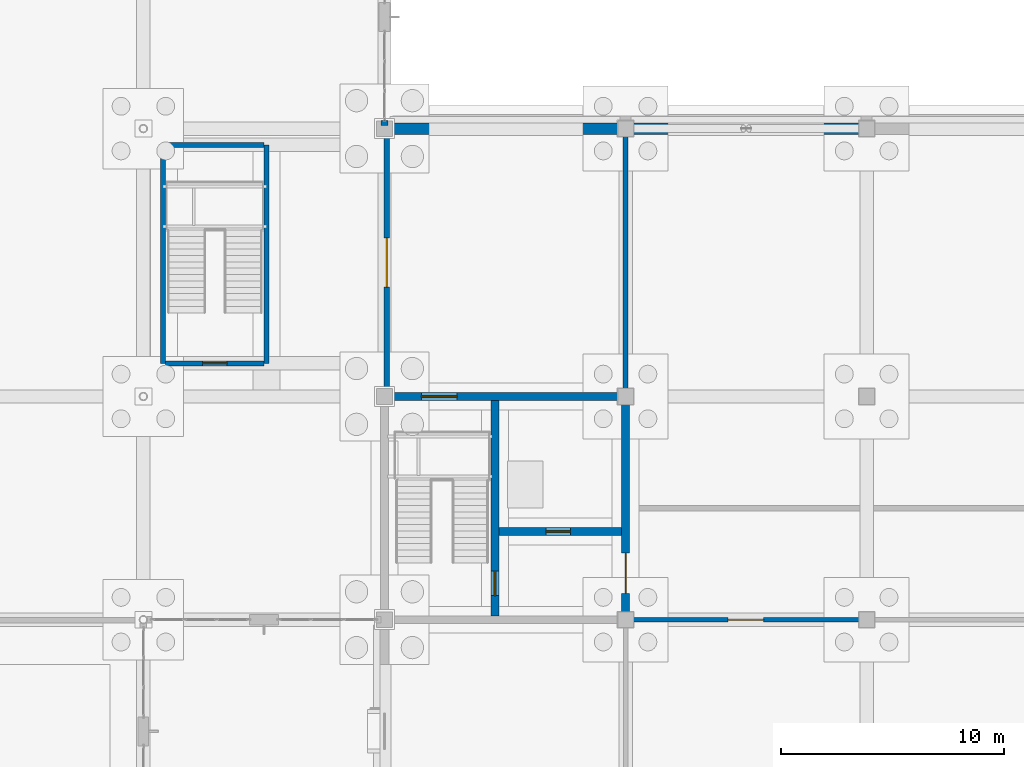
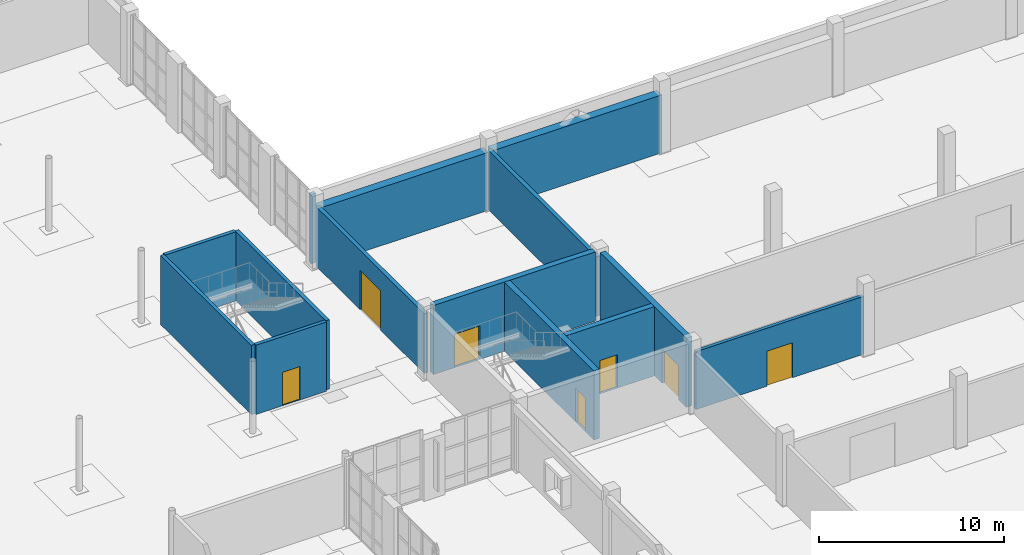
# One storey, part 54 of 73: 14 walls, 7 doors, 7 openings.
"""IFC4 building model written with IfcOpenShell, lengths in metres."""

from ifc_helpers import new_model, si_unit, direction, frame, frame_2d, origin, place, context, subcontext, project, spatial, rectangle, extrude, material, layer, layer_set, type_object, element, fill, save


model = new_model("IFC4")

# Units and contexts
model_context = context("Model", 3, precision=1e-05, world=origin(), true_north=direction((0.0, 1.0)))
body_context = subcontext(model_context, "Body", "Model", "MODEL_VIEW")
ifc_project = project(units=[si_unit("LENGTHUNIT", "METRE"), si_unit("AREAUNIT", "SQUARE_METRE"), si_unit("VOLUMEUNIT", "CUBIC_METRE"), si_unit("PLANEANGLEUNIT", "RADIAN"), si_unit("MASSUNIT", "GRAM", prefix="KILO")], contexts=[model_context])

# Site, building, storey
site_placement = place(None, origin())
site = spatial("IfcSite", under=ifc_project, at=site_placement, CompositionType="ELEMENT")
building_placement = place(site_placement, origin())
building = spatial("IfcBuilding", under=site, at=building_placement, Name="Tasgan Crest Museum", CompositionType="ELEMENT")
storey_placement = place(building_placement, origin())
storey = spatial("IfcBuildingStorey", under=building, at=storey_placement, Name="L00", CompositionType="ELEMENT", Elevation=0.0)

# Wall, opening, door
ifc_material_1 = material(Name="Concrete C40/50", Category="concrete")
ifc_layer_1 = layer(ifc_material_1, 0.35009765625, Name="WL-CORE-350")
ifc_layer_set_1 = layer_set([ifc_layer_1], Name="Concrete C40/50")
wall_type_1 = type_object("IfcWallType", Name="WL-CORE-350", PredefinedType="SHEAR", material=ifc_layer_set_1)
wall_1_placement = place(storey_placement, frame((108.35009765625, 50.0, 0.0), z_axis=(0.0, 0.0, 1.0), x_axis=(1.0, 0.0, 0.0)))
wall_1 = element("IfcWall", 1, at=wall_1_placement, inside=storey, type_object=wall_type_1, Name="East Conservation Core north shear wall L00", PredefinedType="SHEAR", context=body_context, shape_type="SweptSolid", body=[
    extrude(rectangle(XDim=10.099853515625, YDim=0.35009765625, at=frame_2d((5.0498046875, 0.0))), origin(), (0.0, 0.0, 1.0), 4.56005859375),
])
opening_1_placement = place(wall_1_placement, frame((1.300048828125, 0.0, 0.0)))
opening_1 = element("IfcOpeningElement", 2, at=opening_1_placement, cuts=wall_1, Name="Opening EX-SE", PredefinedType="OPENING", context=body_context, shape_type="SweptSolid", body=[
    extrude(rectangle(XDim=1.60009765625, YDim=2.199951171875, at=frame_2d((0.800048828125, 1.10009765625))), frame((0.0, 0.18505859375, 0.0), z_axis=(0.0, -1.0, 0.0), x_axis=(1.0, 0.0, 0.0)), (0.0, 0.0, 1.0), 0.3701171875),
])
ifc_material_2 = material(Name="Fire-Rated Stair Exit Door")
door_type_1 = type_object("IfcDoorType", Name="DR-FD3-1600", OperationType="NOTDEFINED", PredefinedType="DOOR", material=ifc_material_2)
door_1_placement = place(opening_1_placement, origin())
door_1 = element("IfcDoor", 3, at=door_1_placement, inside=storey, type_object=door_type_1, Name="East Conservation Core ground stair discharge door", OperationType="DOUBLE_DOOR_SINGLE_SWING", OverallHeight=2.199951171875, OverallWidth=1.60009765625, PredefinedType="DOOR", context=body_context, shape_type="SweptSolid", body=[
    extrude(rectangle(XDim=1.60009765625, YDim=2.199951171875, at=frame_2d((0.800048828125, 1.10009765625))), frame((0.0, 0.02490234375, 0.0), z_axis=(0.0, -1.0, 0.0), x_axis=(1.0, 0.0, 0.0)), (0.0, 0.0, 1.0), 0.050048828125),
])
fill(opening_1, door_1)

wall_2_placement = place(storey_placement, frame((118.800048828125, 40.35009765625, 0.0), z_axis=(0.0, 0.0, 1.0), x_axis=(0.0, 1.0, 0.0)))
wall_2 = element("IfcWall", 4, at=wall_2_placement, inside=storey, type_object=wall_type_1, Name="East Conservation Core east shear wall L00", PredefinedType="SHEAR", context=body_context, shape_type="SweptSolid", body=[
    extrude(rectangle(XDim=9.2998046875, YDim=0.35009765625, at=frame_2d((4.64990234375, 0.0))), origin(), (0.0, 0.0, 1.0), 4.56005859375),
])
opening_2_placement = place(wall_2_placement, frame((0.830078125, 0.0, 0.0)))
opening_2 = element("IfcOpeningElement", 5, at=opening_2_placement, cuts=wall_2, Name="Opening LD-SE-L00", PredefinedType="OPENING", context=body_context, shape_type="SweptSolid", body=[
    extrude(rectangle(XDim=1.800048828125, YDim=2.25, at=frame_2d((0.89990234375, 1.125))), frame((0.0, 0.18505859375, 0.0), z_axis=(0.0, -1.0, 0.0), x_axis=(1.0, 0.0, 0.0)), (0.0, 0.0, 1.0), 0.3701171875),
])
ifc_material_3 = material(Name="Fire-Rated Double Lobby Door")
door_type_2 = type_object("IfcDoorType", Name="DR-FD2-1800", OperationType="NOTDEFINED", PredefinedType="DOOR", material=ifc_material_3)
door_2_placement = place(opening_2_placement, origin())
door_2 = element("IfcDoor", 6, at=door_2_placement, inside=storey, type_object=door_type_2, Name="East Conservation Core lobby door L00", OperationType="DOUBLE_DOOR_SINGLE_SWING", OverallHeight=2.25, OverallWidth=1.800048828125, PredefinedType="DOOR", context=body_context, shape_type="SweptSolid", body=[
    extrude(rectangle(XDim=1.800048828125, YDim=2.25, at=frame_2d((0.89990234375, 1.125))), frame((0.0, 0.02490234375, 0.0), z_axis=(0.0, -1.0, 0.0), x_axis=(1.0, 0.0, 0.0)), (0.0, 0.0, 1.0), 0.050048828125),
])
fill(opening_2, door_2)

wall_3_placement = place(storey_placement, frame((112.949951171875, 40.175048828125, 0.0), z_axis=(0.0, 0.0, 1.0), x_axis=(0.0, 1.0, 0.0)))
wall_3 = element("IfcWall", 7, at=wall_3_placement, inside=storey, type_object=wall_type_1, Name="East Conservation Core stair-lobby shear wall L00", PredefinedType="SHEAR", context=body_context, shape_type="SweptSolid", body=[
    extrude(rectangle(XDim=9.64990234375, YDim=0.35009765625, at=frame_2d((4.824951171875, 0.0))), origin(), (0.0, 0.0, 1.0), 4.56005859375),
])
opening_3_placement = place(wall_3_placement, frame((0.89990234375, 0.0, 0.0)))
opening_3 = element("IfcOpeningElement", 8, at=opening_3_placement, cuts=wall_3, Name="Opening SD-SE-L00", PredefinedType="OPENING", context=body_context, shape_type="SweptSolid", body=[
    extrude(rectangle(XDim=1.10009765625, YDim=2.199951171875, at=frame_2d((0.550048828125, 1.10009765625))), frame((0.0, 0.18505859375, 0.0), z_axis=(0.0, -1.0, 0.0), x_axis=(1.0, 0.0, 0.0)), (0.0, 0.0, 1.0), 0.3701171875),
])
ifc_material_4 = material(Name="Fire-Rated Steel Door", Category="steel")
door_type_3 = type_object("IfcDoorType", Name="DR-FD1-1100", OperationType="NOTDEFINED", PredefinedType="DOOR", material=ifc_material_4)
door_3_placement = place(opening_3_placement, origin())
door_3 = element("IfcDoor", 9, at=door_3_placement, inside=storey, type_object=door_type_3, Name="East Conservation Core stair door L00", OperationType="SINGLE_SWING_LEFT", OverallHeight=2.199951171875, OverallWidth=1.10009765625, PredefinedType="DOOR", context=body_context, shape_type="SweptSolid", body=[
    extrude(rectangle(XDim=1.10009765625, YDim=2.199951171875, at=frame_2d((0.550048828125, 1.10009765625))), frame((0.0, 0.02490234375, 0.0), z_axis=(0.0, -1.0, 0.0), x_axis=(1.0, 0.0, 0.0)), (0.0, 0.0, 1.0), 0.050048828125),
])
fill(opening_3, door_3)

wall_4_placement = place(storey_placement, frame((113.1298828125, 43.949951171875, 0.0), z_axis=(0.0, 0.0, 1.0), x_axis=(1.0, 0.0, 0.0)))
wall_4 = element("IfcWall", 10, at=wall_4_placement, inside=storey, type_object=wall_type_1, Name="East Conservation Core lift-shaft wall L00", PredefinedType="SHEAR", context=body_context, shape_type="SweptSolid", body=[
    extrude(rectangle(XDim=5.490234375, YDim=0.35009765625, at=frame_2d((2.7451171875, 0.0))), origin(), (0.0, 0.0, 1.0), 4.56005859375),
])
opening_4_placement = place(wall_4_placement, frame((2.10009765625, 0.0, 0.0)))
opening_4 = element("IfcOpeningElement", 11, at=opening_4_placement, cuts=wall_4, Name="Opening LD-PL2", PredefinedType="OPENING", context=body_context, shape_type="SweptSolid", body=[
    extrude(rectangle(XDim=1.10009765625, YDim=2.199951171875, at=frame_2d((0.550048828125, 1.10009765625))), frame((0.0, 0.18505859375, 0.0), z_axis=(0.0, -1.0, 0.0), x_axis=(1.0, 0.0, 0.0)), (0.0, 0.0, 1.0), 0.3701171875),
])
ifc_material_5 = material(Name="Brushed Bronze Passenger Lift Landing Door")
door_type_4 = type_object("IfcDoorType", Name="LD-PAX-1100", OperationType="NOTDEFINED", PredefinedType="DOOR", material=ifc_material_5)
door_4_placement = place(opening_4_placement, origin())
door_4 = element("IfcDoor", 12, at=door_4_placement, inside=storey, type_object=door_type_4, Name="Lift landing sliding door PL2 L00", OperationType="DOUBLE_DOOR_SLIDING", OverallHeight=2.199951171875, OverallWidth=1.10009765625, PredefinedType="DOOR", context=body_context, shape_type="SweptSolid", body=[
    extrude(rectangle(XDim=1.10009765625, YDim=2.199951171875, at=frame_2d((0.550048828125, 1.10009765625))), frame((0.0, 0.02490234375, 0.0), z_axis=(0.0, -1.0, 0.0), x_axis=(1.0, 0.0, 0.0)), (0.0, 0.0, 1.0), 0.050048828125),
])
fill(opening_4, door_4)

# Walls
ifc_material_6 = material(Name="Precast concrete C40/50", Category="concrete")
ifc_layer_2 = layer(ifc_material_6, 0.320068359375, Name="WL-EXT-CLER-320")
ifc_layer_set_2 = layer_set([ifc_layer_2], Name="Precast concrete C40/50")
wall_type_2 = type_object("IfcWallType", Name="WL-EXT-CLER-320", PredefinedType="STANDARD", material=ifc_layer_set_2)
wall_5_placement = place(storey_placement, frame((108.0, 62.14501953125, 0.0), z_axis=(0.0, 0.0, 1.0), x_axis=(0.0, 1.0, 0.0)))
element("IfcWall", 13, at=wall_5_placement, inside=storey, type_object=wall_type_2, Name="Curtain wall jamb closure L00 JL", PredefinedType="STANDARD", context=body_context, shape_type="SweptSolid", body=[
    extrude(rectangle(XDim=0.22509765625, YDim=0.300048828125, at=frame_2d((0.112548828125, 0.0))), origin(), (0.0, 0.0, 1.0), 4.56005859375),
])
ifc_material_7 = material(Name="Concrete C40/50", Category="concrete")
ifc_layer_3 = layer(ifc_material_7, 0.52001953125, Name="WL-EXT-VAULT-520")
ifc_layer_set_3 = layer_set([ifc_layer_3], Name="Concrete C40/50")
wall_type_3 = type_object("IfcWallType", Name="WL-EXT-VAULT-520", PredefinedType="SOLIDWALL", material=ifc_layer_set_3)
for number, where, z_axis, x_axis, name in (
    (14, (129.455078125, 62.0, 0.0), (0.0, 0.0, 1.0), (-1.0, 0.0, 0.0), "Exterior wall L00 (124.2,62.0)"),
    (15, (118.655029296875, 62.0, 0.0), (0.0, 0.0, 1.0), (-1.0, 0.0, 0.0), "Exterior wall L00 (113.4,62.0)"),
):
    element("IfcWall", number, at=place(storey_placement, frame(where, z_axis=z_axis, x_axis=x_axis)), inside=storey, type_object=wall_type_3, Name=name, PredefinedType="SOLIDWALL", context=body_context, shape_type="SweptSolid", body=[
        extrude(rectangle(XDim=10.510009765625, YDim=0.52001953125, at=frame_2d((5.2548828125, 0.0))), origin(), (0.0, 0.0, 1.0), 3.819091796875),
    ])

# Wall, opening, door
ifc_material_8 = material(Name="Concrete C40/50", Category="concrete")
ifc_layer_4 = layer(ifc_material_8, 0.199951171875, Name="WL-FIRE-200")
ifc_layer_set_4 = layer_set([ifc_layer_4], Name="Concrete C40/50")
wall_type_4 = type_object("IfcWallType", Name="WL-FIRE-200", PredefinedType="SOLIDWALL", material=ifc_layer_set_4)
wall_6_placement = place(storey_placement, frame((118.97998046875, 40.0, 0.0), z_axis=(0.0, 0.0, 1.0), x_axis=(1.0, 0.0, 0.0)))
wall_6 = element("IfcWall", 16, at=wall_6_placement, inside=storey, type_object=wall_type_4, Name="Partition Wet Conservation Laboratory / Collection Logistics Corridor L00", PredefinedType="SOLIDWALL", context=body_context, shape_type="SweptSolid", body=[
    extrude(rectangle(XDim=10.419921875, YDim=0.199951171875, at=frame_2d((5.2099609375, 0.0))), origin(), (0.0, 0.0, 1.0), 3.819091796875),
])
opening_5_placement = place(wall_6_placement, frame((4.409912109375, 0.0, 0.0)))
opening_5 = element("IfcOpeningElement", 17, at=opening_5_placement, cuts=wall_6, Name="Opening D006", PredefinedType="OPENING", context=body_context, shape_type="SweptSolid", body=[
    extrude(rectangle(XDim=1.60009765625, YDim=2.300048828125, at=frame_2d((0.800048828125, 1.14990234375))), frame((0.0, 0.10986328125, 0.0), z_axis=(0.0, -1.0, 0.0), x_axis=(1.0, 0.0, 0.0)), (0.0, 0.0, 1.0), 0.219970703125),
])
ifc_material_9 = material(Name="Conservation Laboratory Leaf-and-Half Door")
door_type_5 = type_object("IfcDoorType", Name="DR-LAB-1600", OperationType="NOTDEFINED", PredefinedType="DOOR", material=ifc_material_9)
door_5_placement = place(opening_5_placement, origin())
door_5 = element("IfcDoor", 18, at=door_5_placement, inside=storey, type_object=door_type_5, Name="Wet Conservation Laboratory door D006", OperationType="SINGLE_SWING_RIGHT", OverallHeight=2.300048828125, OverallWidth=1.60009765625, PredefinedType="DOOR", context=body_context, shape_type="SweptSolid", body=[
    extrude(rectangle(XDim=1.60009765625, YDim=2.300048828125, at=frame_2d((0.800048828125, 1.14990234375))), frame((0.0, 0.02490234375, 0.0), z_axis=(0.0, -1.0, 0.0), x_axis=(1.0, 0.0, 0.0)), (0.0, 0.0, 1.0), 0.050048828125),
])
fill(opening_5, door_5)

ifc_material_10 = material(Name="Concrete C40/50", Category="concrete")
ifc_layer_5 = layer(ifc_material_10, 0.239990234375, Name="WL-FIRE-240")
ifc_layer_set_5 = layer_set([ifc_layer_5], Name="Concrete C40/50")
wall_type_5 = type_object("IfcWallType", Name="WL-FIRE-240", PredefinedType="SOLIDWALL", material=ifc_layer_set_5)
wall_7_placement = place(storey_placement, frame((108.10009765625, 50.179931640625, 0.0), z_axis=(0.0, 0.0, 1.0), x_axis=(0.0, 1.0, 0.0)))
wall_7 = element("IfcWall", 19, at=wall_7_placement, inside=storey, type_object=wall_type_5, Name="Partition East Atrium Sculpture Arcade / West Specimen Receiving Vault L00", PredefinedType="SOLIDWALL", context=body_context, shape_type="SweptSolid", body=[
    extrude(rectangle(XDim=11.64013671875, YDim=0.239990234375, at=frame_2d((5.820068359375, 0.0))), origin(), (0.0, 0.0, 1.0), 3.9189453125),
])
opening_6_placement = place(wall_7_placement, frame((4.719970703125, 0.0, 0.0)))
opening_6 = element("IfcOpeningElement", 20, at=opening_6_placement, cuts=wall_7, Name="Opening D027", PredefinedType="OPENING", context=body_context, shape_type="SweptSolid", body=[
    extrude(rectangle(XDim=2.199951171875, YDim=2.60009765625, at=frame_2d((1.10009765625, 1.300048828125))), frame((0.0, 0.1298828125, 0.0), z_axis=(0.0, -1.0, 0.0), x_axis=(1.0, 0.0, 0.0)), (0.0, 0.0, 1.0), 0.260009765625),
])
ifc_material_11 = material(Name="Double Specimen Vault Door")
door_type_6 = type_object("IfcDoorType", Name="DR-VAULT-2200", OperationType="NOTDEFINED", PredefinedType="DOOR", material=ifc_material_11)
door_6_placement = place(opening_6_placement, origin())
door_6 = element("IfcDoor", 21, at=door_6_placement, inside=storey, type_object=door_type_6, Name="West Specimen Receiving Vault door D027", OperationType="DOUBLE_DOOR_SINGLE_SWING", OverallHeight=2.60009765625, OverallWidth=2.199951171875, PredefinedType="DOOR", context=body_context, shape_type="SweptSolid", body=[
    extrude(rectangle(XDim=2.199951171875, YDim=2.60009765625, at=frame_2d((1.10009765625, 1.300048828125))), frame((0.0, 0.02490234375, 0.0), z_axis=(0.0, -1.0, 0.0), x_axis=(1.0, 0.0, 0.0)), (0.0, 0.0, 1.0), 0.050048828125),
])
fill(opening_6, door_6)

# Walls
wall_8_placement = place(storey_placement, frame((118.800048828125, 50.179931640625, 0.0), z_axis=(0.0, 0.0, 1.0), x_axis=(0.0, 1.0, 0.0)))
element("IfcWall", 22, at=wall_8_placement, inside=storey, type_object=wall_type_5, Name="Partition Collection Archive Receiving Vault / West Specimen Receiving Vault L00", PredefinedType="SOLIDWALL", context=body_context, shape_type="SweptSolid", body=[
    extrude(rectangle(XDim=11.64013671875, YDim=0.239990234375, at=frame_2d((5.820068359375, 0.0))), origin(), (0.0, 0.0, 1.0), 3.9189453125),
])
ifc_material_12 = material(Name="Concrete C40/50", Category="concrete")
ifc_layer_6 = layer(ifc_material_12, 0.219970703125, Name="WL-SHAFT-220")
ifc_layer_set_6 = layer_set([ifc_layer_6], Name="Concrete C40/50")
wall_type_6 = type_object("IfcWallType", Name="WL-SHAFT-220", PredefinedType="SHEAR", material=ifc_layer_set_6)
for number, where, z_axis, x_axis, name in (
    (23, (98.080078125, 51.47998046875, 0.0), (0.0, 0.0, 1.0), (0.0, 1.0, 0.0), "ATRIUM stairwell wall L00 W"),
    (24, (102.719970703125, 51.47998046875, 0.0), (0.0, 0.0, 1.0), (0.0, 1.0, 0.0), "ATRIUM stairwell wall L00 E"),
):
    element("IfcWall", number, at=place(storey_placement, frame(where, z_axis=z_axis, x_axis=x_axis)), inside=storey, type_object=wall_type_6, Name=name, PredefinedType="SHEAR", context=body_context, shape_type="SweptSolid", body=[
        extrude(rectangle(XDim=9.7900390625, YDim=0.219970703125, at=frame_2d((4.89501953125, 0.0))), origin(), (0.0, 0.0, 1.0), 4.56005859375),
    ])
wall_9_placement = place(storey_placement, frame((98.199951171875, 61.27001953125, 0.0), z_axis=(0.0, 0.0, 1.0), x_axis=(1.0, 0.0, 0.0)))
element("IfcWall", 25, at=wall_9_placement, inside=storey, type_object=wall_type_6, Name="ATRIUM stairwell wall L00 N", PredefinedType="SHEAR", context=body_context, shape_type="SweptSolid", body=[
    extrude(rectangle(XDim=4.400146484375, YDim=0.219970703125, at=frame_2d((2.2001953125, 0.0))), origin(), (0.0, 0.0, 1.0), 4.56005859375),
])

# Wall, opening, door
wall_10_placement = place(storey_placement, frame((98.199951171875, 51.47998046875, 0.0), z_axis=(0.0, 0.0, 1.0), x_axis=(1.0, 0.0, 0.0)))
wall_10 = element("IfcWall", 26, at=wall_10_placement, inside=storey, type_object=wall_type_6, Name="ATRIUM stairwell wall L00 S", PredefinedType="SHEAR", context=body_context, shape_type="SweptSolid", body=[
    extrude(rectangle(XDim=4.400146484375, YDim=0.219970703125, at=frame_2d((2.2001953125, 0.0))), origin(), (0.0, 0.0, 1.0), 4.56005859375),
])
opening_7_placement = place(wall_10_placement, frame((1.64990234375, 0.0, 0.0)))
opening_7 = element("IfcOpeningElement", 27, at=opening_7_placement, cuts=wall_10, Name="Opening SD-AT-L00", PredefinedType="OPENING", context=body_context, shape_type="SweptSolid", body=[
    extrude(rectangle(XDim=1.10009765625, YDim=2.199951171875, at=frame_2d((0.550048828125, 1.10009765625))), frame((0.0, 0.119873046875, 0.0), z_axis=(0.0, -1.0, 0.0), x_axis=(1.0, 0.0, 0.0)), (0.0, 0.0, 1.0), 0.239990234375),
])
door_7_placement = place(opening_7_placement, origin())
door_7 = element("IfcDoor", 28, at=door_7_placement, inside=storey, type_object=door_type_3, Name="ATRIUM protected stair door L00", OperationType="SINGLE_SWING_LEFT", OverallHeight=2.199951171875, OverallWidth=1.10009765625, PredefinedType="DOOR", context=body_context, shape_type="SweptSolid", body=[
    extrude(rectangle(XDim=1.10009765625, YDim=2.199951171875, at=frame_2d((0.550048828125, 1.10009765625))), frame((0.0, 0.02490234375, 0.0), z_axis=(0.0, -1.0, 0.0), x_axis=(1.0, 0.0, 0.0)), (0.0, 0.0, 1.0), 0.050048828125),
])
fill(opening_7, door_7)

save(model, "model.ifc")
